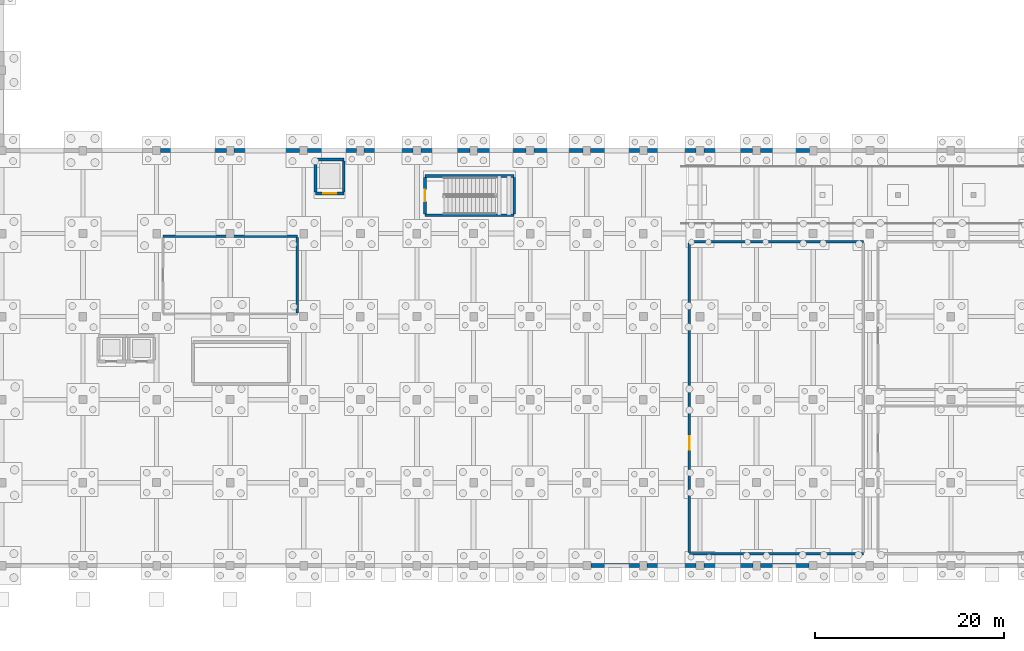
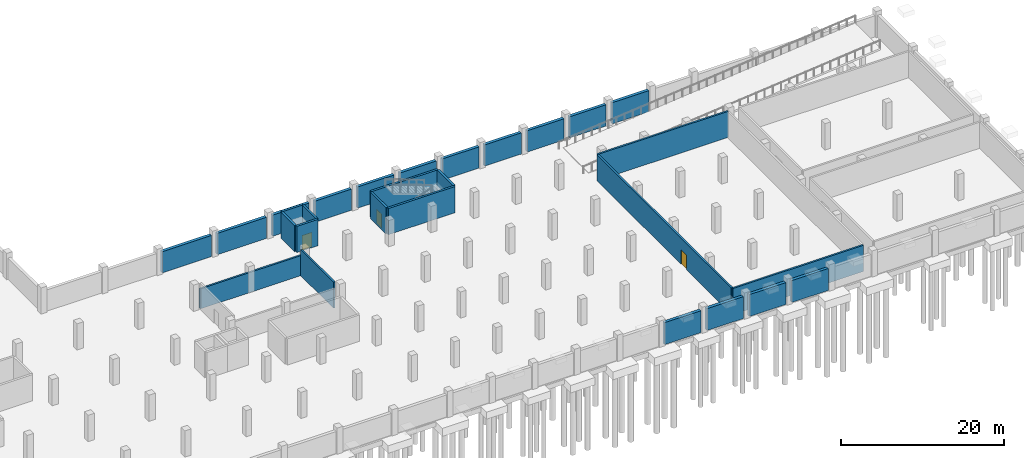
# One storey, part 16 of 28: 28 walls, 3 doors, 3 openings.
"""IFC4 building model written with IfcOpenShell, lengths in metres."""

from ifc_helpers import new_model, si_unit, direction, frame, frame_2d, origin, place, context, subcontext, project, spatial, rectangle, extrude, material, layer, layer_set, type_object, element, fill, save


model = new_model("IFC4")

# Units and contexts
model_context = context("Model", 3, precision=1e-05, world=origin(), true_north=direction((0.0, 1.0)))
body_context = subcontext(model_context, "Body", "Model", "MODEL_VIEW")
ifc_project = project(units=[si_unit("LENGTHUNIT", "METRE"), si_unit("AREAUNIT", "SQUARE_METRE"), si_unit("VOLUMEUNIT", "CUBIC_METRE"), si_unit("PLANEANGLEUNIT", "RADIAN"), si_unit("MASSUNIT", "GRAM", prefix="KILO")], contexts=[model_context])

# Site, building, storey
site_placement = place(None, origin())
site = spatial("IfcSite", under=ifc_project, at=site_placement, CompositionType="ELEMENT")
building_placement = place(site_placement, origin())
building = spatial("IfcBuilding", under=site, at=building_placement, Name="Varnakota Cinema and Media Centre", CompositionType="ELEMENT")
storey_placement = place(building_placement, frame((0.0, 0.0, -4.199951171875)))
storey = spatial("IfcBuildingStorey", under=building, at=storey_placement, Name="B1", CompositionType="ELEMENT", Elevation=-4.199951171875)

# Wall
ifc_material_1 = material(Name="Concrete M40", Category="concrete")
ifc_layer_1 = layer(ifc_material_1, 0.300048828125)
ifc_layer_set_1 = layer_set([ifc_layer_1], Name="Concrete M40")
wall_type_1 = type_object("IfcWallType", Name="W-CORE-300", PredefinedType="SHEAR", material=ifc_layer_set_1)
wall_1_placement = place(storey_placement, frame((97.31005859375, 37.14990234375, 0.0), z_axis=(0.0, 0.0, 1.0), x_axis=(-1.0, 0.0, 0.0)))
element("IfcWall", 1, at=wall_1_placement, inside=storey, type_object=wall_type_1, Name="B1 CWALL-ST-B2-B1 S wall", PredefinedType="SHEAR", context=body_context, shape_type="SweptSolid", body=[
    extrude(rectangle(XDim=9.4599609375, YDim=0.300048828125, at=frame_2d((4.72998046875, 0.0))), origin(), (0.0, 0.0, 1.0), 3.919921875),
])

# Wall, opening, door
wall_2_placement = place(storey_placement, frame((87.85009765625, 37.300048828125, 0.0), z_axis=(0.0, 0.0, 1.0), x_axis=(0.0, 1.0, 0.0)))
wall_2 = element("IfcWall", 2, at=wall_2_placement, inside=storey, type_object=wall_type_1, Name="B1 CWALL-ST-B2-B1 W wall", PredefinedType="SHEAR", context=body_context, shape_type="SweptSolid", body=[
    extrude(rectangle(XDim=3.849853515625, YDim=0.300048828125, at=frame_2d((1.9248046875, 0.0))), origin(), (0.0, 0.0, 1.0), 3.919921875),
])
opening_1_placement = place(wall_2_placement, frame((1.300048828125, 0.0, 0.0)))
opening_1 = element("IfcOpeningElement", 3, at=opening_1_placement, cuts=wall_2, Name="Opening SD-B2", PredefinedType="OPENING", context=body_context, shape_type="SweptSolid", body=[
    extrude(rectangle(XDim=1.25, YDim=2.14990234375, at=frame_2d((0.625, 1.074951171875))), frame((0.0, 0.14990234375, 0.0), z_axis=(0.0, -1.0, 0.0), x_axis=(1.0, 0.0, 0.0)), (0.0, 0.0, 1.0), 0.300048828125),
])
ifc_material_2 = material(Name="Thermally broken anodised aluminium AW-6063", Category="aluminium")
door_type_1 = type_object("IfcDoorType", Name="DR-STAIR-1250x2150", OperationType="NOTDEFINED", PredefinedType="DOOR", material=ifc_material_2)
door_1_placement = place(opening_1_placement, origin())
door_1 = element("IfcDoor", 4, at=door_1_placement, inside=storey, type_object=door_type_1, Name="B1 door SD-B2", OperationType="SINGLE_SWING_RIGHT", OverallHeight=2.14990234375, OverallWidth=1.25, PredefinedType="DOOR", context=body_context, shape_type="SweptSolid", body=[
    extrude(rectangle(XDim=1.25, YDim=2.14990234375, at=frame_2d((0.625, 1.074951171875))), frame((0.0, 0.02490234375, 0.0), z_axis=(0.0, -1.0, 0.0), x_axis=(1.0, 0.0, 0.0)), (0.0, 0.0, 1.0), 0.050048828125),
])
fill(opening_1, door_1)

# Walls
wall_3_placement = place(storey_placement, frame((87.85009765625, 41.300048828125, 0.0), z_axis=(0.0, 0.0, 1.0), x_axis=(1.0, 0.0, 0.0)))
element("IfcWall", 5, at=wall_3_placement, inside=storey, type_object=wall_type_1, Name="B1 CWALL-ST-B2-B1 N wall", PredefinedType="SHEAR", context=body_context, shape_type="SweptSolid", body=[
    extrude(rectangle(XDim=9.4599609375, YDim=0.300048828125, at=frame_2d((4.72998046875, 0.0))), origin(), (0.0, 0.0, 1.0), 3.919921875),
])
wall_4_placement = place(storey_placement, frame((97.31005859375, 41.14990234375, 0.0), z_axis=(0.0, 0.0, 1.0), x_axis=(0.0, -1.0, 0.0)))
element("IfcWall", 6, at=wall_4_placement, inside=storey, type_object=wall_type_1, Name="B1 CWALL-ST-B2-B1 E wall", PredefinedType="SHEAR", context=body_context, shape_type="SweptSolid", body=[
    extrude(rectangle(XDim=3.849853515625, YDim=0.300048828125, at=frame_2d((1.9248046875, 0.0))), origin(), (0.0, 0.0, 1.0), 3.919921875),
])

# Wall, opening, door
wall_5_placement = place(storey_placement, frame((79.25, 39.449951171875, 0.0), z_axis=(0.0, 0.0, 1.0), x_axis=(-1.0, 0.0, 0.0)))
wall_5 = element("IfcWall", 7, at=wall_5_placement, inside=storey, type_object=wall_type_1, Name="B1 LSHAFT-LF-08-B1 S wall", PredefinedType="SHEAR", context=body_context, shape_type="SweptSolid", body=[
    extrude(rectangle(XDim=3.0, YDim=0.300048828125, at=frame_2d((1.5, 0.0))), origin(), (0.0, 0.0, 1.0), 3.919921875),
])
opening_2_placement = place(wall_5_placement, frame((0.800048828125, 0.0, 0.0)))
opening_2 = element("IfcOpeningElement", 8, at=opening_2_placement, cuts=wall_5, Name="Opening LD-08", PredefinedType="OPENING", context=body_context, shape_type="SweptSolid", body=[
    extrude(rectangle(XDim=1.39990234375, YDim=2.199951171875, at=frame_2d((0.699951171875, 1.10009765625))), frame((0.0, 0.14990234375, 0.0), z_axis=(0.0, -1.0, 0.0), x_axis=(1.0, 0.0, 0.0)), (0.0, 0.0, 1.0), 0.300048828125),
])
ifc_material_3 = material(Name="Thermally broken anodised aluminium AW-6063", Category="aluminium")
door_type_2 = type_object("IfcDoorType", Name="DR-LIFT-1400x2200", OperationType="DOUBLE_DOOR_SLIDING", PredefinedType="DOOR", material=ifc_material_3)
door_2_placement = place(opening_2_placement, origin())
door_2 = element("IfcDoor", 9, at=door_2_placement, inside=storey, type_object=door_type_2, Name="B1 door LD-08", OperationType="DOUBLE_DOOR_SLIDING", OverallHeight=2.199951171875, OverallWidth=1.39990234375, PredefinedType="DOOR", context=body_context, shape_type="SweptSolid", body=[
    extrude(rectangle(XDim=1.39990234375, YDim=2.199951171875, at=frame_2d((0.699951171875, 1.10009765625))), frame((0.0, 0.02490234375, 0.0), z_axis=(0.0, -1.0, 0.0), x_axis=(1.0, 0.0, 0.0)), (0.0, 0.0, 1.0), 0.050048828125),
])
fill(opening_2, door_2)

# Walls
wall_6_placement = place(storey_placement, frame((76.25, 39.60009765625, 0.0), z_axis=(0.0, 0.0, 1.0), x_axis=(0.0, 1.0, 0.0)))
element("IfcWall", 10, at=wall_6_placement, inside=storey, type_object=wall_type_1, Name="B1 LSHAFT-LF-08-B1 W wall", PredefinedType="SHEAR", context=body_context, shape_type="SweptSolid", body=[
    extrude(rectangle(XDim=3.2998046875, YDim=0.300048828125, at=frame_2d((1.64990234375, 0.0))), origin(), (0.0, 0.0, 1.0), 3.919921875),
])
wall_7_placement = place(storey_placement, frame((76.25, 43.050048828125, 0.0), z_axis=(0.0, 0.0, 1.0), x_axis=(1.0, 0.0, 0.0)))
element("IfcWall", 11, at=wall_7_placement, inside=storey, type_object=wall_type_1, Name="B1 LSHAFT-LF-08-B1 N wall", PredefinedType="SHEAR", context=body_context, shape_type="SweptSolid", body=[
    extrude(rectangle(XDim=3.0, YDim=0.300048828125, at=frame_2d((1.5, 0.0))), origin(), (0.0, 0.0, 1.0), 3.919921875),
])
wall_8_placement = place(storey_placement, frame((79.25, 42.89990234375, 0.0), z_axis=(0.0, 0.0, 1.0), x_axis=(0.0, -1.0, 0.0)))
element("IfcWall", 12, at=wall_8_placement, inside=storey, type_object=wall_type_1, Name="B1 LSHAFT-LF-08-B1 E wall", PredefinedType="SHEAR", context=body_context, shape_type="SweptSolid", body=[
    extrude(rectangle(XDim=3.2998046875, YDim=0.300048828125, at=frame_2d((1.64990234375, 0.0))), origin(), (0.0, 0.0, 1.0), 3.919921875),
])
ifc_material_4 = material(Name="Autoclaved aerated concrete blockwork", Category="masonry")
ifc_layer_2 = layer(ifc_material_4, 0.25)
ifc_layer_set_2 = layer_set([ifc_layer_2], Name="Autoclaved aerated concrete blockwork")
wall_type_2 = type_object("IfcWallType", Name="W-FIRE-250", PredefinedType="SOLIDWALL", material=ifc_layer_set_2)
wall_9_placement = place(storey_placement, frame((134.324951171875, 1.27490234375, 0.0), z_axis=(0.0, 0.0, 1.0), x_axis=(-1.0, 0.0, 0.0)))
element("IfcWall", 13, at=wall_9_placement, inside=storey, type_object=wall_type_2, Name="B1 RWALL-RM-B1-TANKS S wall", PredefinedType="SOLIDWALL", context=body_context, shape_type="SweptSolid", body=[
    extrude(rectangle(XDim=18.449951171875, YDim=0.25, at=frame_2d((9.22509765625, 0.0))), origin(), (0.0, 0.0, 1.0), 3.89990234375),
])

# Wall, opening, door
wall_10_placement = place(storey_placement, frame((115.875, 1.39990234375, 0.0), z_axis=(0.0, 0.0, 1.0), x_axis=(0.0, 1.0, 0.0)))
wall_10 = element("IfcWall", 14, at=wall_10_placement, inside=storey, type_object=wall_type_2, Name="B1 RWALL-RM-B1-TANKS W wall", PredefinedType="SOLIDWALL", context=body_context, shape_type="SweptSolid", body=[
    extrude(rectangle(XDim=32.800048828125, YDim=0.25, at=frame_2d((16.39990234375, 0.0))), origin(), (0.0, 0.0, 1.0), 3.89990234375),
])
opening_3_placement = place(wall_10_placement, frame((10.89990234375, 0.0, 0.0)))
opening_3 = element("IfcOpeningElement", 15, at=opening_3_placement, cuts=wall_10, Name="Opening D-044", PredefinedType="OPENING", context=body_context, shape_type="SweptSolid", body=[
    extrude(rectangle(XDim=1.39990234375, YDim=2.14990234375, at=frame_2d((0.699951171875, 1.074951171875))), frame((0.0, 0.125, 0.0), z_axis=(0.0, -1.0, 0.0), x_axis=(1.0, 0.0, 0.0)), (0.0, 0.0, 1.0), 0.25),
])
ifc_material_5 = material(Name="Thermally broken anodised aluminium AW-6063", Category="aluminium")
door_type_3 = type_object("IfcDoorType", Name="DR-STD-1400x2150", OperationType="DOUBLE_DOOR_SINGLE_SWING", PredefinedType="DOOR", material=ifc_material_5)
door_3_placement = place(opening_3_placement, origin())
door_3 = element("IfcDoor", 16, at=door_3_placement, inside=storey, type_object=door_type_3, Name="B1 door D-044", OperationType="DOUBLE_DOOR_SINGLE_SWING", OverallHeight=2.14990234375, OverallWidth=1.39990234375, PredefinedType="DOOR", context=body_context, shape_type="SweptSolid", body=[
    extrude(rectangle(XDim=1.39990234375, YDim=2.14990234375, at=frame_2d((0.699951171875, 1.074951171875))), frame((0.0, 0.02490234375, 0.0), z_axis=(0.0, -1.0, 0.0), x_axis=(1.0, 0.0, 0.0)), (0.0, 0.0, 1.0), 0.050048828125),
])
fill(opening_3, door_3)

# Walls
wall_11_placement = place(storey_placement, frame((115.875, 34.324951171875, 0.0), z_axis=(0.0, 0.0, 1.0), x_axis=(1.0, 0.0, 0.0)))
element("IfcWall", 17, at=wall_11_placement, inside=storey, type_object=wall_type_2, Name="B1 RWALL-RM-B1-TANKS N wall", PredefinedType="SOLIDWALL", context=body_context, shape_type="SweptSolid", body=[
    extrude(rectangle(XDim=18.449951171875, YDim=0.25, at=frame_2d((9.22509765625, 0.0))), origin(), (0.0, 0.0, 1.0), 3.89990234375),
])
wall_12_placement = place(storey_placement, frame((60.074951171875, 34.925048828125, 0.0), z_axis=(0.0, 0.0, 1.0), x_axis=(1.0, 0.0, 0.0)))
element("IfcWall", 18, at=wall_12_placement, inside=storey, type_object=wall_type_2, Name="B1 RWALL-RM-B1-VAULT N wall", PredefinedType="SOLIDWALL", context=body_context, shape_type="SweptSolid", body=[
    extrude(rectangle(XDim=14.25, YDim=0.25, at=frame_2d((7.125, 0.0))), origin(), (0.0, 0.0, 1.0), 3.0),
])
wall_13_placement = place(storey_placement, frame((74.324951171875, 34.800048828125, 0.0), z_axis=(0.0, 0.0, 1.0), x_axis=(0.0, -1.0, 0.0)))
element("IfcWall", 19, at=wall_13_placement, inside=storey, type_object=wall_type_2, Name="B1 RWALL-RM-B1-VAULT E wall", PredefinedType="SOLIDWALL", context=body_context, shape_type="SweptSolid", body=[
    extrude(rectangle(XDim=8.0, YDim=0.25, at=frame_2d((4.0, 0.0))), origin(), (0.0, 0.0, 1.0), 3.89990234375),
])
ifc_material_6 = material(Name="Concrete M40", Category="concrete")
ifc_layer_3 = layer(ifc_material_6, 0.419921875)
ifc_layer_set_3 = layer_set([ifc_layer_3], Name="Concrete M40")
wall_type_3 = type_object("IfcWallType", Name="W-RET-420", PredefinedType="USERDEFINED", material=ifc_layer_set_3)
for number, where, z_axis, x_axis, name in (
    (20, (128.574951171875, 0.0, 0.0), (0.0, 0.0, 1.0), (-1.0, 0.0, 0.0), "B1 retaining wall B1-S-5"),
    (21, (122.60009765625, 0.0, 0.0), (0.0, 0.0, 1.0), (-1.0, 0.0, 0.0), "B1 retaining wall B1-S-6"),
    (22, (116.574951171875, 0.0, 0.0), (0.0, 0.0, 1.0), (-1.0, 0.0, 0.0), "B1 retaining wall B1-S-7"),
    (23, (110.60009765625, 0.0, 0.0), (0.0, 0.0, 1.0), (-1.0, 0.0, 0.0), "B1 retaining wall B1-S-8"),
):
    element("IfcWall", number, at=place(storey_placement, frame(where, z_axis=z_axis, x_axis=x_axis)), inside=storey, type_object=wall_type_3, Name=name, ObjectType="RETAINING WALL", PredefinedType="USERDEFINED", context=body_context, shape_type="SweptSolid", body=[
        extrude(rectangle(XDim=5.175048828125, YDim=0.419921875, at=frame_2d((2.58740234375, 0.0))), origin(), (0.0, 0.0, 1.0), 3.27001953125),
    ])
wall_14_placement = place(storey_placement, frame((59.824951171875, 44.0, 0.0), z_axis=(0.0, 0.0, 1.0), x_axis=(1.0, 0.0, 0.0)))
element("IfcWall", 24, at=wall_14_placement, inside=storey, type_object=wall_type_3, Name="B1 retaining wall B1-NSE-3", ObjectType="RETAINING WALL", PredefinedType="USERDEFINED", context=body_context, shape_type="SweptSolid", body=[
    extrude(rectangle(XDim=6.97509765625, YDim=0.419921875, at=frame_2d((3.487548828125, 0.0))), origin(), (0.0, 0.0, 1.0), 3.169921875),
])
wall_15_placement = place(storey_placement, frame((67.60009765625, 44.0, 0.0), z_axis=(0.0, 0.0, 1.0), x_axis=(1.0, 0.0, 0.0)))
element("IfcWall", 25, at=wall_15_placement, inside=storey, type_object=wall_type_3, Name="B1 retaining wall B1-NSE-4", ObjectType="RETAINING WALL", PredefinedType="USERDEFINED", context=body_context, shape_type="SweptSolid", body=[
    extrude(rectangle(XDim=6.974853515625, YDim=0.419921875, at=frame_2d((3.4873046875, 0.0))), origin(), (0.0, 0.0, 1.0), 3.169921875),
])
for number, where, z_axis, x_axis, name in (
    (26, (75.425048828125, 44.0, 0.0), (0.0, 0.0, 1.0), (1.0, 0.0, 0.0), "B1 retaining wall B1-NSE-5"),
    (27, (81.39990234375, 44.0, 0.0), (0.0, 0.0, 1.0), (1.0, 0.0, 0.0), "B1 retaining wall B1-NSE-6"),
    (28, (87.425048828125, 44.0, 0.0), (0.0, 0.0, 1.0), (1.0, 0.0, 0.0), "B1 retaining wall B1-NSE-7"),
    (29, (93.39990234375, 44.0, 0.0), (0.0, 0.0, 1.0), (1.0, 0.0, 0.0), "B1 retaining wall B1-NSE-8"),
    (30, (99.425048828125, 44.0, 0.0), (0.0, 0.0, 1.0), (1.0, 0.0, 0.0), "B1 retaining wall B1-NSE-9"),
    (31, (105.39990234375, 44.0, 0.0), (0.0, 0.0, 1.0), (1.0, 0.0, 0.0), "B1 retaining wall B1-NSE-10"),
    (32, (111.425048828125, 44.0, 0.0), (0.0, 0.0, 1.0), (1.0, 0.0, 0.0), "B1 retaining wall B1-NSE-11"),
    (33, (117.39990234375, 44.0, 0.0), (0.0, 0.0, 1.0), (1.0, 0.0, 0.0), "B1 retaining wall B1-NSE-12"),
    (34, (123.425048828125, 44.0, 0.0), (0.0, 0.0, 1.0), (1.0, 0.0, 0.0), "B1 retaining wall B1-NSE-13"),
):
    element("IfcWall", number, at=place(storey_placement, frame(where, z_axis=z_axis, x_axis=x_axis)), inside=storey, type_object=wall_type_3, Name=name, ObjectType="RETAINING WALL", PredefinedType="USERDEFINED", context=body_context, shape_type="SweptSolid", body=[
        extrude(rectangle(XDim=5.175048828125, YDim=0.419921875, at=frame_2d((2.58740234375, 0.0))), origin(), (0.0, 0.0, 1.0), 3.169921875),
    ])

save(model, "model.ifc")
